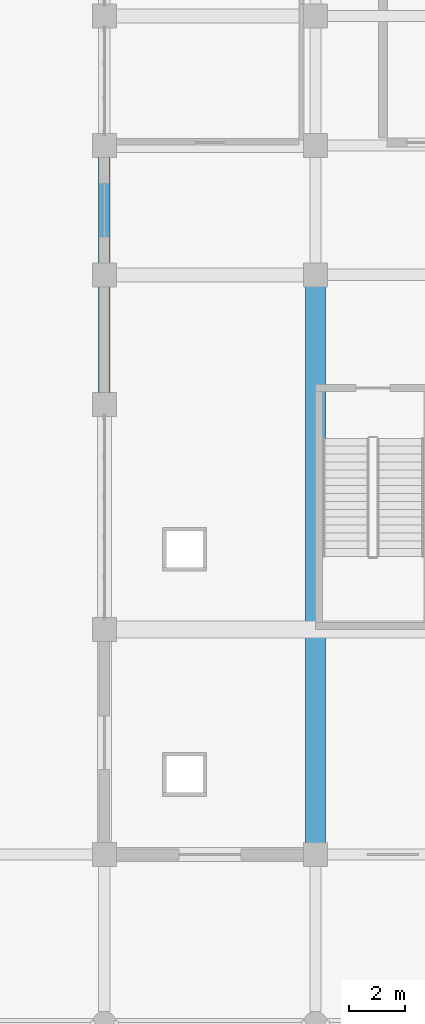
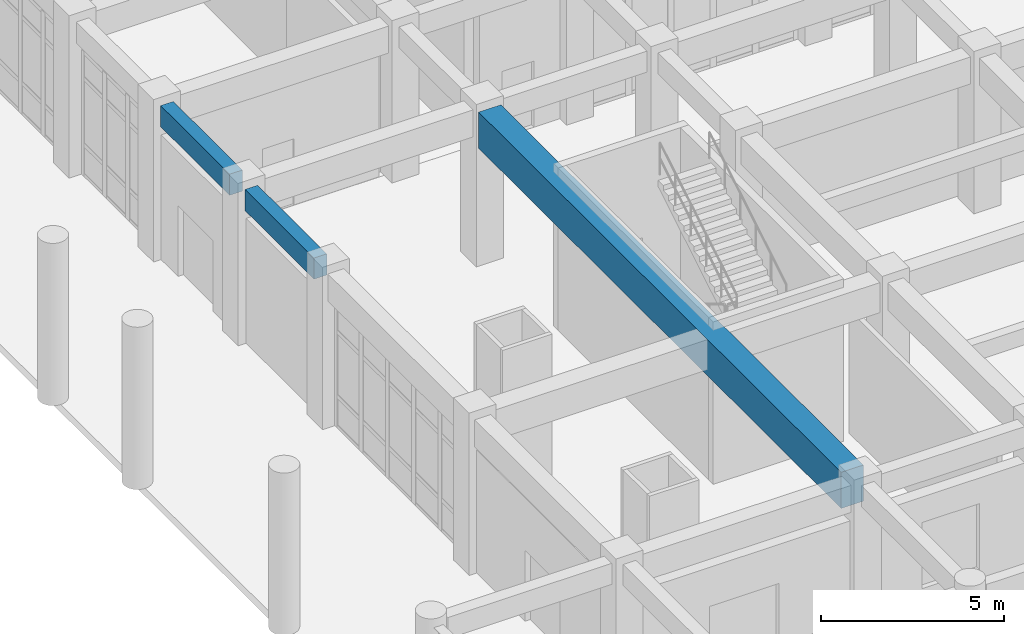
# One storey, part 6 of 84: 3 beams.
"""IFC4 building model written with IfcOpenShell, lengths in metres."""

from ifc_helpers import new_model, si_unit, direction, frame, origin, origin_2d, place, context, subcontext, project, spatial, rectangle, extrude, material, material_profile, profile_set, type_object, element, save


model = new_model("IFC4")

# Units and contexts
model_context = context("Model", 3, precision=1e-05, world=origin(), true_north=direction((0.0, 1.0)))
body_context = subcontext(model_context, "Body", "Model", "MODEL_VIEW")
ifc_project = project(units=[si_unit("LENGTHUNIT", "METRE"), si_unit("AREAUNIT", "SQUARE_METRE"), si_unit("VOLUMEUNIT", "CUBIC_METRE"), si_unit("PLANEANGLEUNIT", "RADIAN"), si_unit("MASSUNIT", "GRAM", prefix="KILO")], contexts=[model_context])

# Site, building, storey
site_placement = place(None, origin())
site = spatial("IfcSite", under=ifc_project, at=site_placement, CompositionType="ELEMENT")
building_placement = place(site_placement, origin())
building = spatial("IfcBuilding", under=site, at=building_placement, Name="Muzn Square Opera House", CompositionType="ELEMENT")
storey_placement = place(building_placement, origin())
storey = spatial("IfcBuildingStorey", under=building, at=storey_placement, Name="L00", CompositionType="ELEMENT", Elevation=0.0)

# Beams
ifc_material = material(Name="Concrete C40/50", Category="concrete")
ifc_material_profile_1 = material_profile(ifc_material, rectangle(XDim=0.39990234375, YDim=0.699951171875, at=origin_2d()), Name="RCB 400x700", Category="concrete")
ifc_profile_set_1 = profile_set([ifc_material_profile_1], Name="Concrete C40/50")
beam_type_1 = type_object("IfcBeamType", Name="Primary Girder 400x700", PredefinedType="BEAM", material=ifc_profile_set_1)
beam_1_placement = place(storey_placement, frame((6.0, 22.4169921875, 4.77001953125), z_axis=(0.0, 1.0, 0.0), x_axis=(-1.0, 0.0, 0.0)))
element("IfcBeam", 1, at=beam_1_placement, inside=storey, type_object=beam_type_1, Name="Primary Girder BM-L00-BM-PG700-60_224_60_262-956", PredefinedType="BEAM", context=body_context, shape_type="SweptSolid", body=[
    extrude(rectangle(XDim=0.39990234375, YDim=0.699951171875, at=origin_2d()), origin(), (0.0, 0.0, 1.0), 3.76611328125),
])
beam_2_placement = place(storey_placement, frame((6.0, 27.01708984375, 4.77001953125), z_axis=(0.0, 1.0, 0.0), x_axis=(-1.0, 0.0, 0.0)))
element("IfcBeam", 2, at=beam_2_placement, inside=storey, type_object=beam_type_1, Name="Primary Girder BM-L00-BM-PG700-60_270_60_308-957", PredefinedType="BEAM", context=body_context, shape_type="SweptSolid", body=[
    extrude(rectangle(XDim=0.39990234375, YDim=0.699951171875, at=origin_2d()), origin(), (0.0, 0.0, 1.0), 3.765869140625),
])
ifc_material_profile_2 = material_profile(ifc_material, rectangle(XDim=0.699951171875, YDim=1.199951171875, at=origin_2d()), Name="RCB 700x1200", Category="concrete")
ifc_profile_set_2 = profile_set([ifc_material_profile_2], Name="Concrete C40/50")
beam_type_2 = type_object("IfcBeamType", Name="Primary Girder 700x1200", PredefinedType="BEAM", material=ifc_profile_set_2)
beam_3_placement = place(storey_placement, frame((13.5, 6.4169921875, 4.52001953125), z_axis=(0.0, 1.0, 0.0), x_axis=(-1.0, 0.0, 0.0)))
element("IfcBeam", 3, at=beam_3_placement, inside=storey, type_object=beam_type_2, Name="Primary Girder BM-L00-BM-PG1200-135_64_135_262-967", PredefinedType="BEAM", context=body_context, shape_type="SweptSolid", body=[
    extrude(rectangle(XDim=0.699951171875, YDim=1.199951171875, at=origin_2d()), origin(), (0.0, 0.0, 1.0), 19.76611328125),
])

save(model, "model.ifc")
